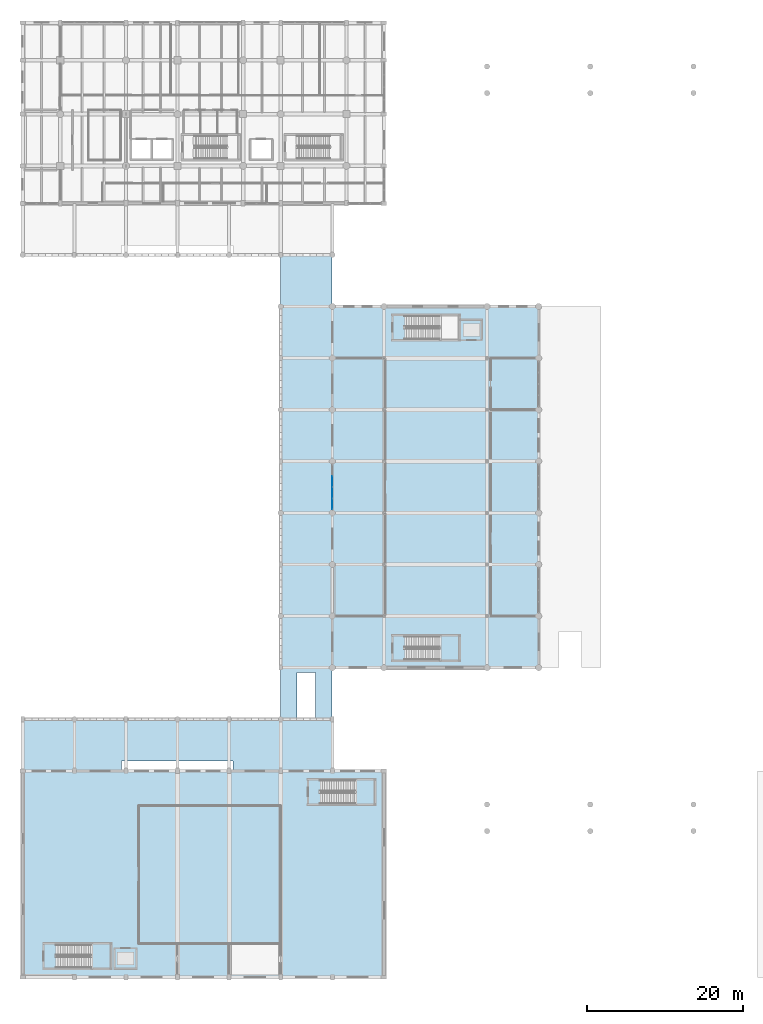
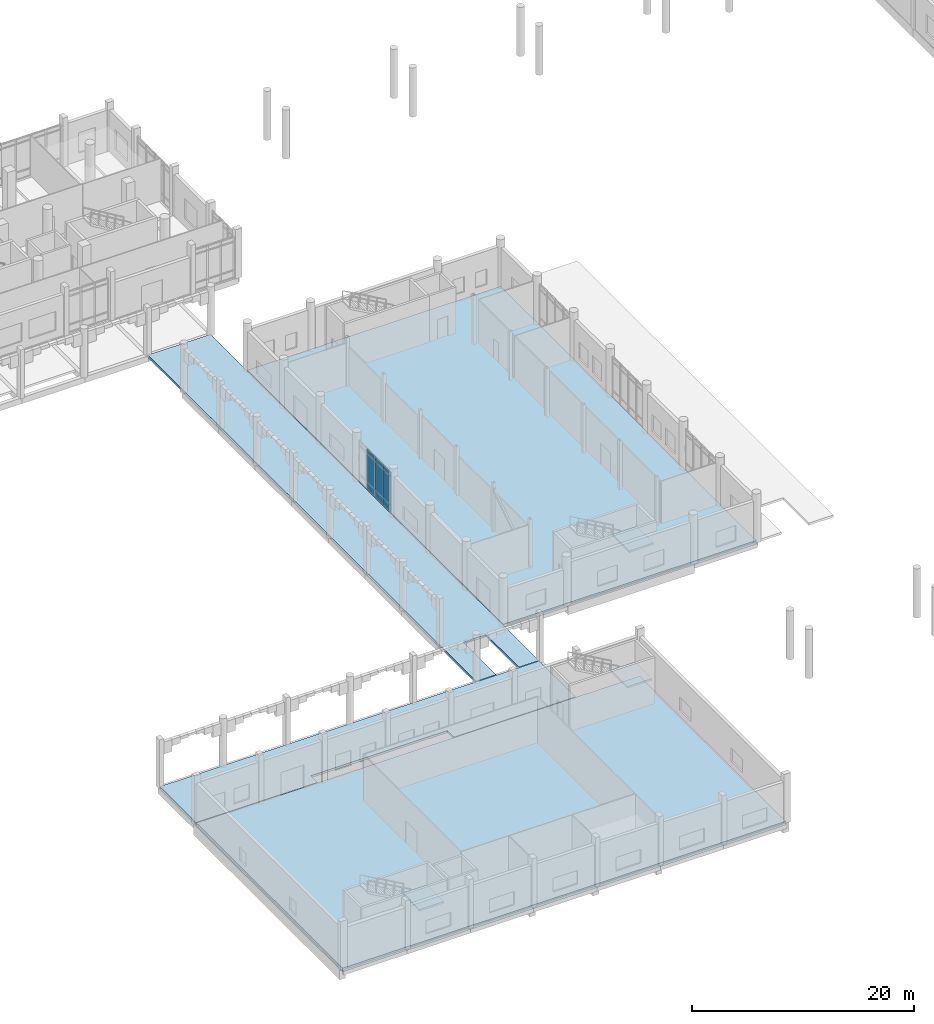
# One storey, part 32 of 72: 9 plates, 7 slabs, 4 elements without a shape of their own.
"""IFC4 building model written with IfcOpenShell, lengths in metres."""

from ifc_helpers import new_model, si_unit, direction, frame, origin, origin_2d, place, context, subcontext, project, spatial, polyline, rectangle, outline, extrude, material, layer, layer_set, type_object, element, aggregate, save


model = new_model("IFC4")

# Units and contexts
model_context = context("Model", 3, precision=1e-05, world=origin(), true_north=direction((0.0, 1.0)))
body_context = subcontext(model_context, "Body", "Model", "MODEL_VIEW")
ifc_project = project(units=[si_unit("LENGTHUNIT", "METRE"), si_unit("AREAUNIT", "SQUARE_METRE"), si_unit("VOLUMEUNIT", "CUBIC_METRE"), si_unit("PLANEANGLEUNIT", "RADIAN"), si_unit("MASSUNIT", "GRAM", prefix="KILO")], contexts=[model_context])

# Site, building, storey
site_placement = place(None, origin())
site = spatial("IfcSite", under=ifc_project, at=site_placement, CompositionType="ELEMENT")
building_placement = place(site_placement, origin())
building = spatial("IfcBuilding", under=site, at=building_placement, Name="Dornvale Research Institute", CompositionType="ELEMENT")
storey_placement = place(building_placement, origin())
storey = spatial("IfcBuildingStorey", under=building, at=storey_placement, Name="L00", CompositionType="ELEMENT", Elevation=0.0)

# Slabs
ifc_material_1 = material(Name="Concrete f'c 35 MPa (C30/37)", Category="concrete")
ifc_layer_1 = layer(ifc_material_1, 0.239990234375)
ifc_layer_set_1 = layer_set([ifc_layer_1], Name="Concrete f'c 35 MPa (C30/37)")
slab_type_1 = type_object("IfcSlabType", Name="BaseSlab_Apron_240_Ext", PredefinedType="BASESLAB", material=ifc_layer_set_1)
slab_1_placement = place(storey_placement, frame((0.0, 0.0, -0.239990234375)))
element("IfcSlab", 1, at=slab_1_placement, inside=storey, type_object=slab_type_1, Name="L00 exterior colonnade and grade walk APR-SQ-S", PredefinedType="BASESLAB", context=body_context, shape_type="SweptSolid", body=[
    extrude(outline(polyline([(0.0, 26.449951171875), (12.656005859375, 26.449951171875), (12.656005859375, 27.64990234375), (26.89404296875, 27.64990234375), (26.89404296875, 26.449951171875), (39.550048828125, 26.449951171875), (39.550048828125, 33.0), (0.0, 33.0), (0.0, 26.449951171875)])), origin(), (0.0, 0.0, 1.0), 0.239990234375),
])
slab_2_placement = place(storey_placement, frame((0.0, 0.0, -0.239990234375)))
element("IfcSlab", 2, at=slab_2_placement, inside=storey, type_object=slab_type_1, Name="L00 exterior colonnade and grade walk APR-SQ-E", PredefinedType="BASESLAB", context=body_context, shape_type="SweptSolid", body=[
    extrude(outline(polyline([(33.0, 33.050048828125), (35.095947265625, 33.050048828125), (35.095947265625, 38.97998046875), (37.4541015625, 38.97998046875), (37.4541015625, 33.050048828125), (39.550048828125, 33.050048828125), (39.550048828125, 92.35009765625), (33.0, 92.35009765625), (33.0, 33.050048828125)])), origin(), (0.0, 0.0, 1.0), 0.239990234375),
])
ifc_material_2 = material(Name="Concrete f'c 40 MPa (C32/40)", Category="concrete")
ifc_layer_2 = layer(ifc_material_2, 0.419921875)
ifc_layer_set_2 = layer_set([ifc_layer_2], Name="Concrete f'c 40 MPa (C32/40)")
slab_type_2 = type_object("IfcSlabType", Name="BaseSlab_RC420", PredefinedType="BASESLAB", material=ifc_layer_set_2)
slab_3_placement = place(storey_placement, frame((0.0, 0.0, -0.419921875)))
element("IfcSlab", 3, at=slab_3_placement, inside=storey, type_object=slab_type_2, Name="L00 V1 structural base slab", PredefinedType="BASESLAB", context=body_context, shape_type="SweptSolid", body=[
    extrude(outline(polyline([(0.0, 0.0), (46.199951171875, 0.0), (46.199951171875, 26.39990234375), (0.0, 26.39990234375), (0.0, 0.0)])), origin(), (0.0, 0.0, 1.0), 0.419921875),
])
slab_4_placement = place(storey_placement, frame((0.0, 0.0, -0.419921875)))
element("IfcSlab", 4, at=slab_4_placement, inside=storey, type_object=slab_type_2, Name="L00 V2 structural base slab", PredefinedType="BASESLAB", context=body_context, shape_type="SweptSolid", body=[
    extrude(outline(polyline([(39.60009765625, 39.60009765625), (66.0, 39.60009765625), (66.0, 85.800048828125), (39.60009765625, 85.800048828125), (39.60009765625, 39.60009765625)])), origin(), (0.0, 0.0, 1.0), 0.419921875),
])

# Curtain wall, plates
ifc_material_3 = material(Name="Low-E Argon Double Insulating Glazing Unit", Category="glass")
curtain_wall_type = type_object("IfcCurtainWallType", Name="UnitisedCurtainWall_V2_5810x4550", PredefinedType="USERDEFINED", material=ifc_material_3)
curtain_wall_placement = place(storey_placement, origin())
curtain_wall = element("IfcCurtainWall", 5, at=curtain_wall_placement, inside=storey, type_object=curtain_wall_type, Name="L00 V2 unitised curtain wall CW-01 #1", ObjectType="UNITISED CURTAIN WALL", PredefinedType="USERDEFINED")
ifc_material_4 = material(Name="Insulated Ceramic-Frit Spandrel Glass Panel", Category="glass")
ifc_layer_3 = layer(ifc_material_4, 0.0419921875)
ifc_layer_set_3 = layer_set([ifc_layer_3], Name="Insulated Ceramic-Frit Spandrel Glass Panel")
plate_type_1 = type_object("IfcPlateType", Name="CurtainPanel_Spandrel_42", PredefinedType="CURTAIN_PANEL", material=ifc_layer_set_3)
plate_1_placement = place(storey_placement, frame((39.60009765625, 60.53759765625, 0.06494140625), z_axis=(0.0, 0.0, 1.0), x_axis=(0.0, 1.0, 0.0)))
plate_1 = element("IfcPlate", 6, at=plate_1_placement, type_object=plate_type_1, Name="CW-01 panel 1.1", PredefinedType="CURTAIN_PANEL", context=body_context, shape_type="SweptSolid", body=[
    extrude(rectangle(XDim=1.35498046875, YDim=0.0419921875, at=origin_2d()), origin(), (0.0, 0.0, 1.0), 0.75244140625),
])
plate_2_placement = place(storey_placement, frame((39.60009765625, 61.9736328125, 0.06494140625), z_axis=(0.0, 0.0, 1.0), x_axis=(0.0, 1.0, 0.0)))
plate_2 = element("IfcPlate", 7, at=plate_2_placement, type_object=plate_type_1, Name="CW-01 panel 2.1", PredefinedType="CURTAIN_PANEL", context=body_context, shape_type="SweptSolid", body=[
    extrude(rectangle(XDim=1.387451171875, YDim=0.0419921875, at=origin_2d()), origin(), (0.0, 0.0, 1.0), 0.75244140625),
])
plate_3_placement = place(storey_placement, frame((39.60009765625, 63.42626953125, 0.06494140625), z_axis=(0.0, 0.0, 1.0), x_axis=(0.0, 1.0, 0.0)))
plate_3 = element("IfcPlate", 8, at=plate_3_placement, type_object=plate_type_1, Name="CW-01 panel 3.1", PredefinedType="CURTAIN_PANEL", context=body_context, shape_type="SweptSolid", body=[
    extrude(rectangle(XDim=1.387451171875, YDim=0.0419921875, at=origin_2d()), origin(), (0.0, 0.0, 1.0), 0.75244140625),
])
ifc_material_5 = material(Name="Low-E Argon Double Insulating Glazing Unit", Category="glass")
ifc_layer_4 = layer(ifc_material_5, 0.028076171875)
ifc_layer_set_4 = layer_set([ifc_layer_4], Name="Low-E Argon Double Insulating Glazing Unit")
plate_type_2 = type_object("IfcPlateType", Name="CurtainPanel_Vision_28", PredefinedType="CURTAIN_PANEL", material=ifc_layer_set_4)
plate_4_placement = place(storey_placement, frame((39.60009765625, 60.53759765625, 0.882568359375), z_axis=(0.0, 0.0, 1.0), x_axis=(0.0, 1.0, 0.0)))
plate_4 = element("IfcPlate", 9, at=plate_4_placement, type_object=plate_type_2, Name="CW-01 panel 1.2", PredefinedType="CURTAIN_PANEL", context=body_context, shape_type="SweptSolid", body=[
    extrude(rectangle(XDim=1.35498046875, YDim=0.028076171875, at=origin_2d()), origin(), (0.0, 0.0, 1.0), 3.0849609375),
])
plate_5_placement = place(storey_placement, frame((39.60009765625, 60.53759765625, 4.03271484375), z_axis=(0.0, 0.0, 1.0), x_axis=(0.0, 1.0, 0.0)))
plate_5 = element("IfcPlate", 10, at=plate_5_placement, type_object=plate_type_2, Name="CW-01 panel 1.3", PredefinedType="CURTAIN_PANEL", context=body_context, shape_type="SweptSolid", body=[
    extrude(rectangle(XDim=1.35498046875, YDim=0.028076171875, at=origin_2d()), origin(), (0.0, 0.0, 1.0), 0.452392578125),
])
plate_6_placement = place(storey_placement, frame((39.60009765625, 61.9736328125, 0.882568359375), z_axis=(0.0, 0.0, 1.0), x_axis=(0.0, 1.0, 0.0)))
plate_6 = element("IfcPlate", 11, at=plate_6_placement, type_object=plate_type_2, Name="CW-01 panel 2.2", PredefinedType="CURTAIN_PANEL", context=body_context, shape_type="SweptSolid", body=[
    extrude(rectangle(XDim=1.387451171875, YDim=0.028076171875, at=origin_2d()), origin(), (0.0, 0.0, 1.0), 3.0849609375),
])
plate_7_placement = place(storey_placement, frame((39.60009765625, 61.9736328125, 4.03271484375), z_axis=(0.0, 0.0, 1.0), x_axis=(0.0, 1.0, 0.0)))
plate_7 = element("IfcPlate", 12, at=plate_7_placement, type_object=plate_type_2, Name="CW-01 panel 2.3", PredefinedType="CURTAIN_PANEL", context=body_context, shape_type="SweptSolid", body=[
    extrude(rectangle(XDim=1.387451171875, YDim=0.028076171875, at=origin_2d()), origin(), (0.0, 0.0, 1.0), 0.452392578125),
])
plate_8_placement = place(storey_placement, frame((39.60009765625, 63.42626953125, 0.882568359375), z_axis=(0.0, 0.0, 1.0), x_axis=(0.0, 1.0, 0.0)))
plate_8 = element("IfcPlate", 13, at=plate_8_placement, type_object=plate_type_2, Name="CW-01 panel 3.2", PredefinedType="CURTAIN_PANEL", context=body_context, shape_type="SweptSolid", body=[
    extrude(rectangle(XDim=1.387451171875, YDim=0.028076171875, at=origin_2d()), origin(), (0.0, 0.0, 1.0), 3.0849609375),
])
plate_9_placement = place(storey_placement, frame((39.60009765625, 63.42626953125, 4.03271484375), z_axis=(0.0, 0.0, 1.0), x_axis=(0.0, 1.0, 0.0)))
plate_9 = element("IfcPlate", 14, at=plate_9_placement, type_object=plate_type_2, Name="CW-01 panel 3.3", PredefinedType="CURTAIN_PANEL", context=body_context, shape_type="SweptSolid", body=[
    extrude(rectangle(XDim=1.387451171875, YDim=0.028076171875, at=origin_2d()), origin(), (0.0, 0.0, 1.0), 0.452392578125),
])
aggregate(curtain_wall, [plate_1, plate_4, plate_5, plate_2, plate_6, plate_7, plate_3, plate_8, plate_9])

# Stair, slab
ifc_material_6 = material(Name="Concrete f'c 45 MPa (C35/45)", Category="concrete")
stair_type = type_object("IfcStairType", Name="HalfTurnStair_RC_Secondary", PredefinedType="HALF_TURN_STAIR", material=ifc_material_6)
stair_1_placement = place(storey_placement, origin())
stair_1 = element("IfcStair", 15, at=stair_1_placement, inside=storey, type_object=stair_type, Name="L00 Exit stair ST-7", PredefinedType="HALF_TURN_STAIR")
ifc_material_7 = material(Name="Concrete f'c 45 MPa (C35/45)", Category="concrete")
ifc_layer_5 = layer(ifc_material_7, 0.199951171875)
ifc_layer_set_5 = layer_set([ifc_layer_5], Name="Concrete f'c 45 MPa (C35/45)")
slab_type_3 = type_object("IfcSlabType", Name="Landing_Stair_200", PredefinedType="LANDING", material=ifc_layer_set_5)
slab_5_placement = place(storey_placement, frame((0.0, 0.0, 2.5)))
slab_5 = element("IfcSlab", 16, at=slab_5_placement, type_object=slab_type_3, Name="ST-7 landing 1", PredefinedType="LANDING", context=body_context, shape_type="SweptSolid", body=[
    extrude(outline(polyline([(53.2900390625, 40.570068359375), (53.2900390625, 43.6298828125), (55.830078125, 43.6298828125), (55.830078125, 40.570068359375), (53.2900390625, 40.570068359375)])), origin(), (0.0, 0.0, 1.0), 0.199951171875),
])
aggregate(stair_1, [slab_5])

stair_2_placement = place(storey_placement, origin())
stair_2 = element("IfcStair", 17, at=stair_2_placement, inside=storey, type_object=stair_type, Name="L00 Exit stair ST-9", PredefinedType="HALF_TURN_STAIR")
slab_6_placement = place(storey_placement, frame((0.0, 0.0, 2.5)))
slab_6 = element("IfcSlab", 18, at=slab_6_placement, type_object=slab_type_3, Name="ST-9 landing 1", PredefinedType="LANDING", context=body_context, shape_type="SweptSolid", body=[
    extrude(outline(polyline([(8.68994140625, 1.169921875), (8.68994140625, 4.22998046875), (11.22998046875, 4.22998046875), (11.22998046875, 1.169921875), (8.68994140625, 1.169921875)])), origin(), (0.0, 0.0, 1.0), 0.199951171875),
])
aggregate(stair_2, [slab_6])

stair_3_placement = place(storey_placement, origin())
stair_3 = element("IfcStair", 19, at=stair_3_placement, inside=storey, type_object=stair_type, Name="L00 Exit stair ST-10", PredefinedType="HALF_TURN_STAIR")
slab_7_placement = place(storey_placement, frame((0.0, 0.0, 2.5)))
slab_7 = element("IfcSlab", 20, at=slab_7_placement, type_object=slab_type_3, Name="ST-10 landing 1", PredefinedType="LANDING", context=body_context, shape_type="SweptSolid", body=[
    extrude(outline(polyline([(42.489990234375, 22.169921875), (42.489990234375, 25.22998046875), (45.030029296875, 25.22998046875), (45.030029296875, 22.169921875), (42.489990234375, 22.169921875)])), origin(), (0.0, 0.0, 1.0), 0.199951171875),
])
aggregate(stair_3, [slab_7])

save(model, "model.ifc")
